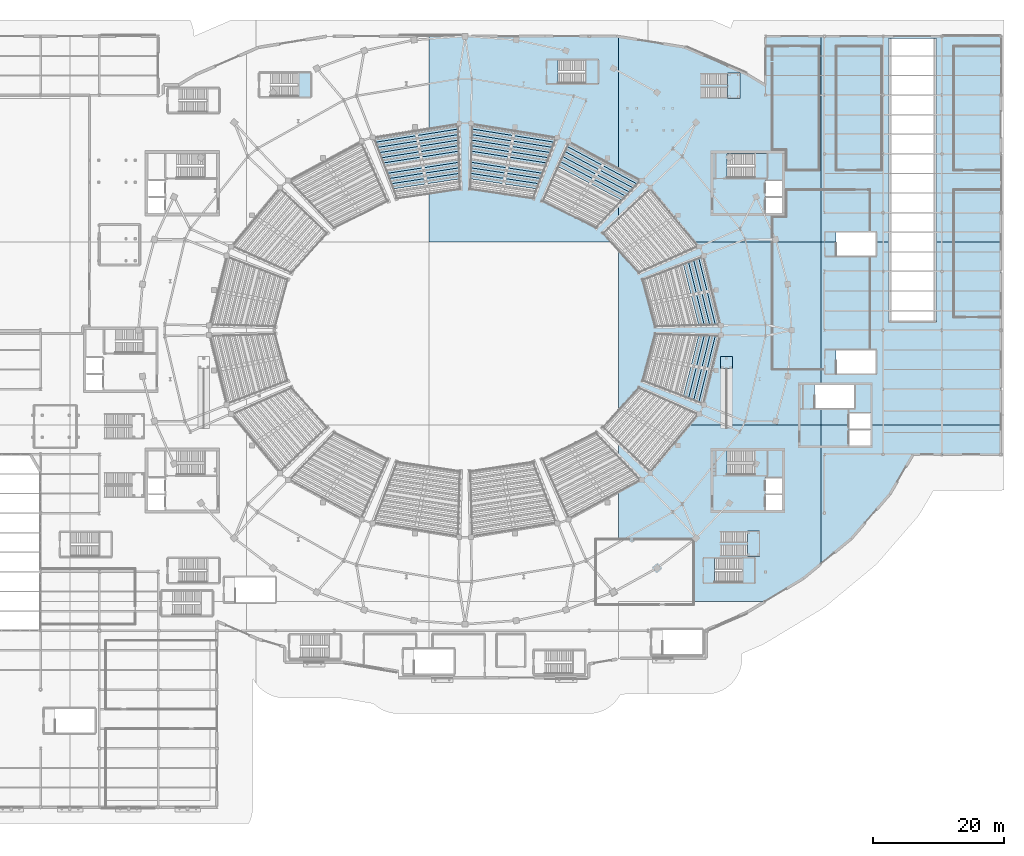
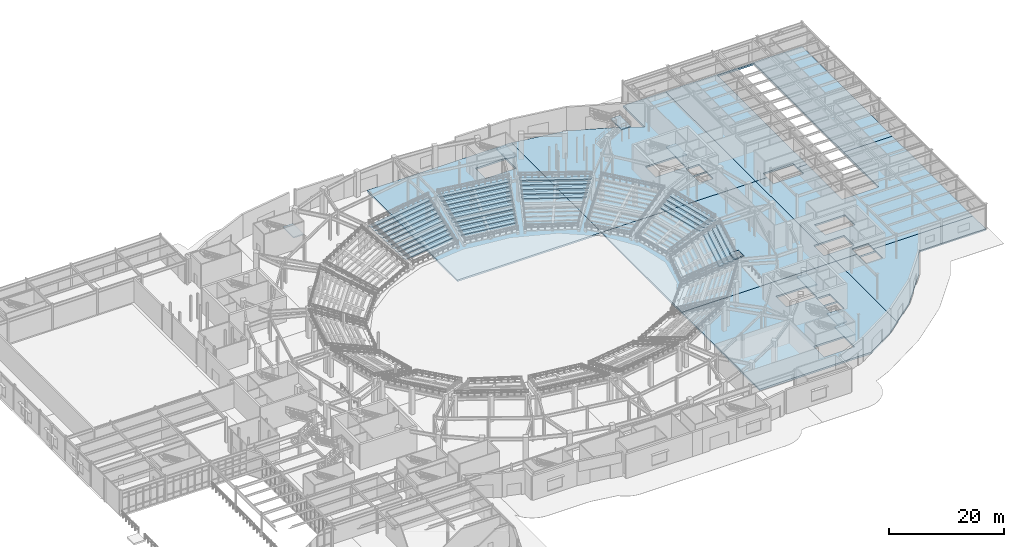
# One storey, part 46 of 79: 48 slabs, 8 elements without a shape of their own.
"""IFC4 building model written with IfcOpenShell, lengths in metres."""

from ifc_helpers import new_model, si_unit, direction, frame, origin, place, context, subcontext, project, spatial, polyline, outline, extrude, material, layer, layer_set, type_object, element, aggregate, save


model = new_model("IFC4")

# Units and contexts
model_context = context("Model", 3, precision=1e-05, world=origin(), true_north=direction((0.0, 1.0)))
body_context = subcontext(model_context, "Body", "Model", "MODEL_VIEW")
ifc_project = project(units=[si_unit("LENGTHUNIT", "METRE"), si_unit("AREAUNIT", "SQUARE_METRE"), si_unit("VOLUMEUNIT", "CUBIC_METRE"), si_unit("PLANEANGLEUNIT", "RADIAN"), si_unit("MASSUNIT", "GRAM", prefix="KILO")], contexts=[model_context])

# Site, building, storey
site_placement = place(None, origin())
site = spatial("IfcSite", under=ifc_project, at=site_placement, CompositionType="ELEMENT")
building_placement = place(site_placement, origin())
building = spatial("IfcBuilding", under=site, at=building_placement, Name="Glasvene Arena", CompositionType="ELEMENT")
storey_placement = place(building_placement, origin())
storey = spatial("IfcBuildingStorey", under=building, at=storey_placement, Name="L00", CompositionType="ELEMENT", Elevation=0.0)

# Slabs
ifc_material_1 = material(Name="Concrete C40/50", Category="concrete")
ifc_layer_1 = layer(ifc_material_1, 0.360107421875)
ifc_layer_set_1 = layer_set([ifc_layer_1], Name="Concrete C40/50")
slab_type_1 = type_object("IfcSlabType", Name="SL-L00-360", PredefinedType="FLOOR", material=ifc_layer_set_1)
slab_1_placement = place(storey_placement, frame((134.29150390625, 42.05322265625, -0.360107421875)))
element("IfcSlab", 1, at=slab_1_placement, inside=storey, type_object=slab_type_1, Name="Structural floor slab L00 sector 2-5 (25)", PredefinedType="FLOOR", context=body_context, shape_type="SweptSolid", body=[
    extrude(outline(polyline([(3.651611328125, -10.55322265625), (-18.79150390625, -10.55322265625), (-18.79150390625, 16.44677734375), (12.20849609375, 16.44677734375), (12.20849609375, -4.77685546875), (9.51416015625, -7.009521484375), (3.651611328125, -10.55322265625)]), holes=[polyline([(2.008544921875, -7.6533203125), (2.008544921875, -4.003173828125), (-4.089599609375, -4.003173828125), (-4.089599609375, -7.6533203125), (2.008544921875, -7.6533203125)]), polyline([(6.258544921875, 3.396728515625), (6.258544921875, 5.8466796875), (3.6083984375, 5.8466796875), (3.6083984375, 3.396728515625), (6.258544921875, 3.396728515625)]), polyline([(3.6083984375, 5.94677734375), (6.258544921875, 5.94677734375), (6.258544921875, 8.396728515625), (3.6083984375, 8.396728515625), (3.6083984375, 5.94677734375)]), polyline([(-2.189453125, 8.796875), (3.908447265625, 8.796875), (3.908447265625, 12.44677734375), (-2.189453125, 12.44677734375), (-2.189453125, 8.796875)])]), origin(), (0.0, 0.0, 1.0), 0.360107421875),
])
slab_2_placement = place(storey_placement, frame((156.29345703125, 53.10009765625, -0.360107421875)))
element("IfcSlab", 2, at=slab_2_placement, inside=storey, type_object=slab_type_1, Name="Structural floor slab L00 sector 2-6 (26)", PredefinedType="FLOOR", context=body_context, shape_type="SweptSolid", body=[
    extrude(outline(polyline([(4.286865234375, 0.89990234375), (0.725341796875, -5.185546875), (-5.16552734375, -11.989013671875), (-9.79345703125, -15.82373046875), (-9.79345703125, 5.39990234375), (-5.593505859375, 5.39990234375), (-5.593505859375, 4.7998046875), (-2.243408203125, 4.7998046875), (-2.243408203125, 5.39990234375), (17.70654296875, 5.39990234375), (17.70654296875, 0.89990234375), (4.286865234375, 0.89990234375)]), holes=[polyline([(-2.243408203125, 2.25), (-2.243408203125, 4.699951171875), (-5.593505859375, 4.699951171875), (-5.593505859375, 2.25), (-2.243408203125, 2.25)])]), origin(), (0.0, 0.0, 1.0), 0.360107421875),
])
slab_3_placement = place(storey_placement, frame((138.50048828125, 67.66259765625, -0.360107421875)))
element("IfcSlab", 3, at=slab_3_placement, inside=storey, type_object=slab_type_1, Name="Structural floor slab L00 sector 3-5 (31)", PredefinedType="FLOOR", context=body_context, shape_type="SweptSolid", body=[
    extrude(outline(polyline([(-23.00048828125, 18.83740234375), (7.99951171875, 18.83740234375), (7.99951171875, -3.0625), (7.00146484375, -3.0625), (7.00146484375, -6.612548828125), (7.99951171875, -6.612548828125), (7.99951171875, -9.16259765625), (-23.00048828125, -9.16259765625), (-23.00048828125, 18.83740234375)])), origin(), (0.0, 0.0, 1.0), 0.360107421875),
])
slab_4_placement = place(storey_placement, frame((154.80517578125, 72.1201171875, -0.360107421875)))
element("IfcSlab", 4, at=slab_4_placement, inside=storey, type_object=slab_type_1, Name="Structural floor slab L00 sector 3-6 (32)", PredefinedType="FLOOR", context=body_context, shape_type="SweptSolid", body=[
    extrude(outline(polyline([(-0.755126953125, -13.6201171875), (-0.755126953125, -11.77001953125), (-4.105224609375, -11.77001953125), (-4.105224609375, -13.6201171875), (-8.30517578125, -13.6201171875), (-8.30517578125, -11.070068359375), (-3.205078125, -11.070068359375), (-3.205078125, -7.52001953125), (-8.30517578125, -7.52001953125), (-8.30517578125, 14.3798828125), (-6.003173828125, 14.3798828125), (-6.003173828125, 12.27978515625), (0.0947265625, 12.27978515625), (0.0947265625, 14.3798828125), (1.994873046875, 14.3798828125), (1.994873046875, 2.179931640625), (9.394775390625, 2.179931640625), (9.394775390625, 14.3798828125), (19.19482421875, 14.3798828125), (19.19482421875, -13.6201171875), (-0.755126953125, -13.6201171875)]), holes=[polyline([(-6.003173828125, -5.72021484375), (0.0947265625, -5.72021484375), (0.0947265625, -2.170166015625), (-6.003173828125, -2.170166015625), (-6.003173828125, -5.72021484375)])]), origin(), (0.0, 0.0, 1.0), 0.360107421875),
])
slab_5_placement = place(storey_placement, frame((103.840576171875, 105.390380859375, -0.360107421875)))
element("IfcSlab", 5, at=slab_5_placement, inside=storey, type_object=slab_type_1, Name="Structural floor slab L00 sector 4-4 (36)", PredefinedType="FLOOR", context=body_context, shape_type="SweptSolid", body=[
    extrude(outline(polyline([(11.3623046875, 12.609619140625), (11.659423828125, 12.561279296875), (11.659423828125, -18.890380859375), (-17.340576171875, -18.890380859375), (-17.340576171875, 12.609619140625), (11.3623046875, 12.609619140625)]), holes=[polyline([(2.361328125, 5.40966796875), (8.45947265625, 5.40966796875), (8.45947265625, 8.959716796875), (2.361328125, 8.959716796875), (2.361328125, 5.40966796875)])]), origin(), (0.0, 0.0, 1.0), 0.360107421875),
])
slab_6_placement = place(storey_placement, frame((132.6064453125, 108.23291015625, -0.360107421875)))
element("IfcSlab", 6, at=slab_6_placement, inside=storey, type_object=slab_type_1, Name="Structural floor slab L00 sector 4-5 (37)", PredefinedType="FLOOR", context=body_context, shape_type="SweptSolid", body=[
    extrude(outline(polyline([(2.6259765625, 3.905517578125), (5.3935546875, 2.232666015625), (5.3935546875, 9.76708984375), (13.8935546875, 9.76708984375), (13.8935546875, -21.73291015625), (-17.1064453125, -21.73291015625), (-17.1064453125, 9.71875), (-6.9873046875, 8.07470703125), (2.6259765625, 3.905517578125)]), holes=[polyline([(7.943603515625, -17.282958984375), (7.943603515625, -14.8330078125), (5.29345703125, -14.8330078125), (5.29345703125, -17.282958984375), (7.943603515625, -17.282958984375)]), polyline([(7.943603515625, -14.73291015625), (7.943603515625, -12.282958984375), (5.29345703125, -12.282958984375), (5.29345703125, -14.73291015625), (7.943603515625, -14.73291015625)]), polyline([(-0.50439453125, -11.8828125), (5.593505859375, -11.8828125), (5.593505859375, -8.23291015625), (-0.50439453125, -8.23291015625), (-0.50439453125, -11.8828125)])]), origin(), (0.0, 0.0, 1.0), 0.360107421875),
])
slab_7_placement = place(storey_placement, frame((157.53369140625, 97.19140625, -0.360107421875)))
element("IfcSlab", 7, at=slab_7_placement, inside=storey, type_object=slab_type_1, Name="Structural floor slab L00 sector 4-6 (38)", PredefinedType="FLOOR", context=body_context, shape_type="SweptSolid", body=[
    extrude(outline(polyline([(16.46630859375, -10.69140625), (6.666259765625, -10.69140625), (6.666259765625, 20.506591796875), (-0.733642578125, 20.506591796875), (-0.733642578125, -10.69140625), (-2.6337890625, -10.69140625), (-2.6337890625, -9.241455078125), (-8.731689453125, -9.241455078125), (-8.731689453125, -10.69140625), (-11.03369140625, -10.69140625), (-11.03369140625, 20.80859375), (16.46630859375, 20.80859375), (16.46630859375, -10.69140625)])), origin(), (0.0, 0.0, 1.0), 0.360107421875),
])

# Stair, slab
stair_type_1 = type_object("IfcStairType", Name="ST-HT-540-170", PredefinedType="HALF_TURN_STAIR", material=ifc_material_1)
stair_1_placement = place(storey_placement, origin())
stair_1 = element("IfcStair", 8, at=stair_1_placement, inside=storey, type_object=stair_type_1, Name="Protected escape stair ST-02 (L00 to L01)", PredefinedType="HALF_TURN_STAIR")
ifc_layer_2 = layer(ifc_material_1, 0.219970703125)
ifc_layer_set_2 = layer_set([ifc_layer_2], Name="Concrete C40/50")
slab_type_2 = type_object("IfcSlabType", Name="SL-LAND-220", PredefinedType="LANDING", material=ifc_layer_set_2)
slab_8_placement = place(storey_placement, frame((137.300048828125, 98.175048828125, 2.47998046875)))
slab_8 = element("IfcSlab", 9, at=slab_8_placement, type_object=slab_type_2, Name="Protected escape stair ST-02 (L00 to L01) landing 1", PredefinedType="LANDING", context=body_context, shape_type="SweptSolid", body=[
    extrude(outline(polyline([(-1.0, -1.925048828125), (1.0, -1.925048828125), (1.0, 1.925048828125), (-1.0, 1.925048828125), (-1.0, -1.925048828125)])), origin(), (0.0, 0.0, 1.0), 0.219970703125),
])
aggregate(stair_1, [slab_8])

stair_2_placement = place(storey_placement, origin())
stair_2 = element("IfcStair", 10, at=stair_2_placement, inside=storey, type_object=stair_type_1, Name="Protected escape stair ST-04 (L00 to L01)", PredefinedType="HALF_TURN_STAIR")
slab_9_placement = place(storey_placement, frame((137.300048828125, 52.675048828125, 2.47998046875)))
slab_9 = element("IfcSlab", 11, at=slab_9_placement, type_object=slab_type_2, Name="Protected escape stair ST-04 (L00 to L01) landing 1", PredefinedType="LANDING", context=body_context, shape_type="SweptSolid", body=[
    extrude(outline(polyline([(-1.0, -1.925048828125), (1.0, -1.925048828125), (1.0, 1.925048828125), (-1.0, 1.925048828125), (-1.0, -1.925048828125)])), origin(), (0.0, 0.0, 1.0), 0.219970703125),
])
aggregate(stair_2, [slab_9])

stair_3_placement = place(storey_placement, origin())
stair_3 = element("IfcStair", 12, at=stair_3_placement, inside=storey, type_object=stair_type_1, Name="Protected escape stair ST-06 (L00 to L01)", PredefinedType="HALF_TURN_STAIR")
slab_10_placement = place(storey_placement, frame((135.39990234375, 36.22509765625, 2.47998046875)))
slab_10 = element("IfcSlab", 13, at=slab_10_placement, type_object=slab_type_2, Name="Protected escape stair ST-06 (L00 to L01) landing 1", PredefinedType="LANDING", context=body_context, shape_type="SweptSolid", body=[
    extrude(outline(polyline([(-1.0, -1.925048828125), (1.0, -1.925048828125), (1.0, 1.9248046875), (-1.0, 1.9248046875), (-1.0, -1.925048828125)])), origin(), (0.0, 0.0, 1.0), 0.219970703125),
])
aggregate(stair_3, [slab_10])

stair_type_2 = type_object("IfcStairType", Name="ST-HT-540-165", PredefinedType="HALF_TURN_STAIR", material=ifc_material_1)
stair_4_placement = place(storey_placement, origin())
stair_4 = element("IfcStair", 14, at=stair_4_placement, inside=storey, type_object=stair_type_2, Name="Protected escape stair ST-10 (L00 to L01)", PredefinedType="HALF_TURN_STAIR")
slab_11_placement = place(storey_placement, frame((67.39990234375, 110.574951171875, 2.47998046875)))
slab_11 = element("IfcSlab", 15, at=slab_11_placement, type_object=slab_type_2, Name="Protected escape stair ST-10 (L00 to L01) landing 1", PredefinedType="LANDING", context=body_context, shape_type="SweptSolid", body=[
    extrude(outline(polyline([(-1.0, -1.875), (1.0, -1.875), (1.0, 1.875), (-1.0, 1.875), (-1.0, -1.875)])), origin(), (0.0, 0.0, 1.0), 0.219970703125),
])
aggregate(stair_4, [slab_11])

stair_5_placement = place(storey_placement, origin())
stair_5 = element("IfcStair", 16, at=stair_5_placement, inside=storey, type_object=stair_type_2, Name="Protected escape stair ST-11 (L00 to L01)", PredefinedType="HALF_TURN_STAIR")
slab_12_placement = place(storey_placement, frame((111.39990234375, 112.574951171875, 2.47998046875)))
slab_12 = element("IfcSlab", 17, at=slab_12_placement, type_object=slab_type_2, Name="Protected escape stair ST-11 (L00 to L01) landing 1", PredefinedType="LANDING", context=body_context, shape_type="SweptSolid", body=[
    extrude(outline(polyline([(-1.0, -1.875), (1.0, -1.875), (1.0, 1.875), (-1.0, 1.875), (-1.0, -1.875)])), origin(), (0.0, 0.0, 1.0), 0.219970703125),
])
aggregate(stair_5, [slab_12])

stair_type_3 = type_object("IfcStairType", Name="ST-HT-540-180", PredefinedType="HALF_TURN_STAIR", material=ifc_material_1)
stair_6_placement = place(storey_placement, origin())
stair_6 = element("IfcStair", 18, at=stair_6_placement, inside=storey, type_object=stair_type_3, Name="Vomitory Stair VOM-02 (L00 to L01)", PredefinedType="HALF_TURN_STAIR")
slab_13_placement = place(storey_placement, frame((136.14990234375, 40.324951171875, 2.47998046875)))
slab_13 = element("IfcSlab", 19, at=slab_13_placement, type_object=slab_type_2, Name="Vomitory Stair VOM-02 (L00 to L01) landing 1", PredefinedType="LANDING", context=body_context, shape_type="SweptSolid", body=[
    extrude(outline(polyline([(-0.949951171875, -1.925048828125), (0.9501953125, -1.925048828125), (0.9501953125, 1.925048828125), (-0.949951171875, 1.925048828125), (-0.949951171875, -1.925048828125)])), origin(), (0.0, 0.0, 1.0), 0.219970703125),
])
aggregate(stair_6, [slab_13])

stair_7_placement = place(storey_placement, origin())
stair_7 = element("IfcStair", 20, at=stair_7_placement, inside=storey, type_object=stair_type_3, Name="Vomitory Stair VOM-04 (L00 to L01)", PredefinedType="HALF_TURN_STAIR")
slab_14_placement = place(storey_placement, frame((133.14990234375, 110.425048828125, 2.47998046875)))
slab_14 = element("IfcSlab", 21, at=slab_14_placement, type_object=slab_type_2, Name="Vomitory Stair VOM-04 (L00 to L01) landing 1", PredefinedType="LANDING", context=body_context, shape_type="SweptSolid", body=[
    extrude(outline(polyline([(-0.949951171875, -1.925048828125), (0.9501953125, -1.925048828125), (0.9501953125, 1.925048828125), (-0.949951171875, 1.925048828125), (-0.949951171875, -1.925048828125)])), origin(), (0.0, 0.0, 1.0), 0.219970703125),
])
aggregate(stair_7, [slab_14])

# Ramp, slab
ramp_type = type_object("IfcRampType", Name="RP-PED-180", PredefinedType="STRAIGHT_RUN_RAMP", material=ifc_material_1)
ramp_placement = place(storey_placement, origin())
ramp = element("IfcRamp", 22, at=ramp_placement, inside=storey, type_object=ramp_type, Name="Accessible 1:12 pedestrian ramp RP-P2", PredefinedType="STRAIGHT_RUN_RAMP")
ifc_layer_3 = layer(ifc_material_1, 0.25)
ifc_layer_set_3 = layer_set([ifc_layer_3], Name="Concrete C40/50")
slab_type_3 = type_object("IfcSlabType", Name="SL-LAND-250", PredefinedType="LANDING", material=ifc_layer_set_3)
slab_15_placement = place(storey_placement, frame((132.0, 68.06005859375, 0.510009765625)))
slab_15 = element("IfcSlab", 23, at=slab_15_placement, type_object=slab_type_3, Name="Accessible 1:12 pedestrian ramp RP-P2 landing 1", PredefinedType="LANDING", context=body_context, shape_type="SweptSolid", body=[
    extrude(outline(polyline([(-0.89990234375, -0.93994140625), (0.89990234375, -0.93994140625), (0.89990234375, 0.93994140625), (-0.89990234375, 0.93994140625), (-0.89990234375, -0.93994140625)])), origin(), (0.0, 0.0, 1.0), 0.25),
])
aggregate(ramp, [slab_15])

# Slabs
ifc_material_2 = material(Name="Precast concrete C50/60", Category="concrete")
ifc_layer_4 = layer(ifc_material_2, 0.219970703125)
ifc_layer_set_4 = layer_set([ifc_layer_4], Name="Precast concrete C50/60")
slab_type_4 = type_object("IfcSlabType", Name="SL-TIER-LOW", PredefinedType="USERDEFINED", material=ifc_layer_set_4)
slab_16_placement = place(storey_placement, frame((126.99462890625, 78.519775390625, 3.580078125)))
element("IfcSlab", 24, at=slab_16_placement, inside=storey, type_object=slab_type_4, Name="Stand lower tier sector 01 row 09", ObjectType="SEATING TIER", PredefinedType="USERDEFINED", context=body_context, shape_type="SweptSolid", body=[
    extrude(outline(polyline([(0.796142578125, -4.877685546875), (-1.617431640625, 4.714111328125), (-0.824951171875, 5.021728515625), (1.64599609375, -4.8583984375), (0.796142578125, -4.877685546875)])), origin(), (0.0, 0.0, 1.0), 0.219970703125),
])
slab_17_placement = place(storey_placement, frame((127.815673828125, 78.68310546875, 3.9599609375)))
element("IfcSlab", 25, at=slab_17_placement, inside=storey, type_object=slab_type_4, Name="Stand lower tier sector 01 row 10", ObjectType="SEATING TIER", PredefinedType="USERDEFINED", context=body_context, shape_type="SweptSolid", body=[
    extrude(outline(polyline([(0.824951171875, -5.021728515625), (-1.64599609375, 4.8583984375), (-0.853515625, 5.16552734375), (1.674560546875, -5.00244140625), (0.824951171875, -5.021728515625)])), origin(), (0.0, 0.0, 1.0), 0.219970703125),
])
slab_18_placement = place(storey_placement, frame((128.63671875, 78.846435546875, 4.340087890625)))
element("IfcSlab", 26, at=slab_18_placement, inside=storey, type_object=slab_type_4, Name="Stand lower tier sector 01 row 11", ObjectType="SEATING TIER", PredefinedType="USERDEFINED", context=body_context, shape_type="SweptSolid", body=[
    extrude(outline(polyline([(0.853515625, -5.165771484375), (-1.674560546875, 5.002197265625), (-0.882080078125, 5.3095703125), (1.703369140625, -5.146484375), (0.853515625, -5.165771484375)])), origin(), (0.0, 0.0, 1.0), 0.219970703125),
])
slab_19_placement = place(storey_placement, frame((129.4580078125, 79.009765625, 4.719970703125)))
element("IfcSlab", 27, at=slab_19_placement, inside=storey, type_object=slab_type_4, Name="Stand lower tier sector 01 row 12", ObjectType="SEATING TIER", PredefinedType="USERDEFINED", context=body_context, shape_type="SweptSolid", body=[
    extrude(outline(polyline([(0.882080078125, -5.309814453125), (-1.703369140625, 5.146240234375), (-0.910888671875, 5.45361328125), (1.73193359375, -5.29052734375), (0.882080078125, -5.309814453125)])), origin(), (0.0, 0.0, 1.0), 0.219970703125),
])
slab_20_placement = place(storey_placement, frame((111.357666015625, 95.82861328125, 3.199951171875)))
element("IfcSlab", 28, at=slab_20_placement, inside=storey, type_object=slab_type_4, Name="Stand lower tier sector 03 row 08", ObjectType="SEATING TIER", PredefinedType="USERDEFINED", context=body_context, shape_type="SweptSolid", body=[
    extrude(outline(polyline([(4.78857421875, -2.983154296875), (-5.253662109375, 2.286865234375), (-4.91064453125, 3.064697265625), (5.3759765625, -2.36865234375), (4.78857421875, -2.983154296875)])), origin(), (0.0, 0.0, 1.0), 0.219970703125),
])
slab_21_placement = place(storey_placement, frame((111.82275390625, 96.524658203125, 3.580078125)))
element("IfcSlab", 29, at=slab_21_placement, inside=storey, type_object=slab_type_4, Name="Stand lower tier sector 03 row 09", ObjectType="SEATING TIER", PredefinedType="USERDEFINED", context=body_context, shape_type="SweptSolid", body=[
    extrude(outline(polyline([(4.910888671875, -3.064697265625), (-5.375732421875, 2.36865234375), (-5.032958984375, 3.146484375), (5.498046875, -2.4501953125), (4.910888671875, -3.064697265625)])), origin(), (0.0, 0.0, 1.0), 0.219970703125),
])
slab_22_placement = place(storey_placement, frame((112.287841796875, 97.220947265625, 3.9599609375)))
element("IfcSlab", 30, at=slab_22_placement, inside=storey, type_object=slab_type_4, Name="Stand lower tier sector 03 row 10", ObjectType="SEATING TIER", PredefinedType="USERDEFINED", context=body_context, shape_type="SweptSolid", body=[
    extrude(outline(polyline([(5.032958984375, -3.146484375), (-5.498046875, 2.4501953125), (-5.155029296875, 3.227783203125), (5.620361328125, -2.531982421875), (5.032958984375, -3.146484375)])), origin(), (0.0, 0.0, 1.0), 0.219970703125),
])
slab_23_placement = place(storey_placement, frame((112.753173828125, 97.9169921875, 4.340087890625)))
element("IfcSlab", 31, at=slab_23_placement, inside=storey, type_object=slab_type_4, Name="Stand lower tier sector 03 row 11", ObjectType="SEATING TIER", PredefinedType="USERDEFINED", context=body_context, shape_type="SweptSolid", body=[
    extrude(outline(polyline([(5.155029296875, -3.22802734375), (-5.620361328125, 2.53173828125), (-5.277099609375, 3.3095703125), (5.7421875, -2.613525390625), (5.155029296875, -3.22802734375)])), origin(), (0.0, 0.0, 1.0), 0.219970703125),
])
slab_24_placement = place(storey_placement, frame((113.21826171875, 98.613037109375, 4.719970703125)))
element("IfcSlab", 32, at=slab_24_placement, inside=storey, type_object=slab_type_4, Name="Stand lower tier sector 03 row 12", ObjectType="SEATING TIER", PredefinedType="USERDEFINED", context=body_context, shape_type="SweptSolid", body=[
    extrude(outline(polyline([(5.277099609375, -3.3095703125), (-5.7421875, 2.613525390625), (-5.399169921875, 3.39111328125), (5.8642578125, -2.69482421875), (5.277099609375, -3.3095703125)])), origin(), (0.0, 0.0, 1.0), 0.219970703125),
])
slab_25_placement = place(storey_placement, frame((97.98095703125, 95.822509765625, 1.300048828125)))
element("IfcSlab", 33, at=slab_25_placement, inside=storey, type_object=slab_type_4, Name="Stand lower tier sector 04 row 03", ObjectType="SEATING TIER", PredefinedType="USERDEFINED", context=body_context, shape_type="SweptSolid", body=[
    extrude(outline(polyline([(5.120849609375, -1.192626953125), (-5.284423828125, 0.37158203125), (-5.26513671875, 1.22119140625), (5.42822265625, -0.400146484375), (5.120849609375, -1.192626953125)])), origin(), (0.0, 0.0, 1.0), 0.219970703125),
])
slab_26_placement = place(storey_placement, frame((98.144287109375, 96.6435546875, 1.679931640625)))
element("IfcSlab", 34, at=slab_26_placement, inside=storey, type_object=slab_type_4, Name="Stand lower tier sector 04 row 04", ObjectType="SEATING TIER", PredefinedType="USERDEFINED", context=body_context, shape_type="SweptSolid", body=[
    extrude(outline(polyline([(5.264892578125, -1.22119140625), (-5.428466796875, 0.400146484375), (-5.4091796875, 1.25), (5.572265625, -0.4287109375), (5.264892578125, -1.22119140625)])), origin(), (0.0, 0.0, 1.0), 0.219970703125),
])
slab_27_placement = place(storey_placement, frame((98.3076171875, 97.46484375, 2.06005859375)))
element("IfcSlab", 35, at=slab_27_placement, inside=storey, type_object=slab_type_4, Name="Stand lower tier sector 04 row 05", ObjectType="SEATING TIER", PredefinedType="USERDEFINED", context=body_context, shape_type="SweptSolid", body=[
    extrude(outline(polyline([(5.408935546875, -1.25), (-5.572509765625, 0.4287109375), (-5.55322265625, 1.278564453125), (5.71630859375, -0.45751953125), (5.408935546875, -1.25)])), origin(), (0.0, 0.0, 1.0), 0.219970703125),
])
slab_28_placement = place(storey_placement, frame((98.470947265625, 98.285888671875, 2.43994140625)))
element("IfcSlab", 36, at=slab_28_placement, inside=storey, type_object=slab_type_4, Name="Stand lower tier sector 04 row 06", ObjectType="SEATING TIER", PredefinedType="USERDEFINED", context=body_context, shape_type="SweptSolid", body=[
    extrude(outline(polyline([(5.552978515625, -1.278564453125), (-5.716552734375, 0.45751953125), (-5.697265625, 1.307373046875), (5.8603515625, -0.486083984375), (5.552978515625, -1.278564453125)])), origin(), (0.0, 0.0, 1.0), 0.219970703125),
])
slab_29_placement = place(storey_placement, frame((98.63427734375, 99.10693359375, 2.820068359375)))
element("IfcSlab", 37, at=slab_29_placement, inside=storey, type_object=slab_type_4, Name="Stand lower tier sector 04 row 07", ObjectType="SEATING TIER", PredefinedType="USERDEFINED", context=body_context, shape_type="SweptSolid", body=[
    extrude(outline(polyline([(5.697021484375, -1.30712890625), (-5.860595703125, 0.486328125), (-5.84130859375, 1.3359375), (6.004638671875, -0.5146484375), (5.697021484375, -1.30712890625)])), origin(), (0.0, 0.0, 1.0), 0.219970703125),
])
slab_30_placement = place(storey_placement, frame((98.797607421875, 99.92822265625, 3.199951171875)))
element("IfcSlab", 38, at=slab_30_placement, inside=storey, type_object=slab_type_4, Name="Stand lower tier sector 04 row 08", ObjectType="SEATING TIER", PredefinedType="USERDEFINED", context=body_context, shape_type="SweptSolid", body=[
    extrude(outline(polyline([(5.84130859375, -1.3359375), (-6.004638671875, 0.5146484375), (-5.9853515625, 1.364501953125), (6.148681640625, -0.54345703125), (5.84130859375, -1.3359375)])), origin(), (0.0, 0.0, 1.0), 0.219970703125),
])
slab_31_placement = place(storey_placement, frame((98.9609375, 100.749267578125, 3.580078125)))
element("IfcSlab", 39, at=slab_31_placement, inside=storey, type_object=slab_type_4, Name="Stand lower tier sector 04 row 09", ObjectType="SEATING TIER", PredefinedType="USERDEFINED", context=body_context, shape_type="SweptSolid", body=[
    extrude(outline(polyline([(5.9853515625, -1.364501953125), (-6.148681640625, 0.54345703125), (-6.12939453125, 1.393310546875), (6.29248046875, -0.572021484375), (5.9853515625, -1.364501953125)])), origin(), (0.0, 0.0, 1.0), 0.219970703125),
])
slab_32_placement = place(storey_placement, frame((99.124267578125, 101.5703125, 3.9599609375)))
element("IfcSlab", 40, at=slab_32_placement, inside=storey, type_object=slab_type_4, Name="Stand lower tier sector 04 row 10", ObjectType="SEATING TIER", PredefinedType="USERDEFINED", context=body_context, shape_type="SweptSolid", body=[
    extrude(outline(polyline([(6.129150390625, -1.39306640625), (-6.292724609375, 0.572265625), (-6.2734375, 1.421875), (6.4365234375, -0.6005859375), (6.129150390625, -1.39306640625)])), origin(), (0.0, 0.0, 1.0), 0.219970703125),
])
slab_33_placement = place(storey_placement, frame((99.28759765625, 102.3916015625, 4.340087890625)))
element("IfcSlab", 41, at=slab_33_placement, inside=storey, type_object=slab_type_4, Name="Stand lower tier sector 04 row 11", ObjectType="SEATING TIER", PredefinedType="USERDEFINED", context=body_context, shape_type="SweptSolid", body=[
    extrude(outline(polyline([(6.273193359375, -1.421875), (-6.436767578125, 0.6005859375), (-6.41748046875, 1.450439453125), (6.580810546875, -0.62939453125), (6.273193359375, -1.421875)])), origin(), (0.0, 0.0, 1.0), 0.219970703125),
])
slab_34_placement = place(storey_placement, frame((99.450927734375, 103.212646484375, 4.719970703125)))
element("IfcSlab", 42, at=slab_34_placement, inside=storey, type_object=slab_type_4, Name="Stand lower tier sector 04 row 12", ObjectType="SEATING TIER", PredefinedType="USERDEFINED", context=body_context, shape_type="SweptSolid", body=[
    extrude(outline(polyline([(6.41748046875, -1.450439453125), (-6.580810546875, 0.62939453125), (-6.5615234375, 1.479248046875), (6.724853515625, -0.657958984375), (6.41748046875, -1.450439453125)])), origin(), (0.0, 0.0, 1.0), 0.219970703125),
])
slab_35_placement = place(storey_placement, frame((86.01904296875, 95.822509765625, 1.300048828125)))
element("IfcSlab", 43, at=slab_35_placement, inside=storey, type_object=slab_type_4, Name="Stand lower tier sector 05 row 03", ObjectType="SEATING TIER", PredefinedType="USERDEFINED", context=body_context, shape_type="SweptSolid", body=[
    extrude(outline(polyline([(5.284423828125, 0.37158203125), (-5.120849609375, -1.192626953125), (-5.42822265625, -0.400146484375), (5.26513671875, 1.22119140625), (5.284423828125, 0.37158203125)])), origin(), (0.0, 0.0, 1.0), 0.219970703125),
])
slab_36_placement = place(storey_placement, frame((85.855712890625, 96.6435546875, 1.679931640625)))
element("IfcSlab", 44, at=slab_36_placement, inside=storey, type_object=slab_type_4, Name="Stand lower tier sector 05 row 04", ObjectType="SEATING TIER", PredefinedType="USERDEFINED", context=body_context, shape_type="SweptSolid", body=[
    extrude(outline(polyline([(5.428466796875, 0.400146484375), (-5.264892578125, -1.22119140625), (-5.572265625, -0.4287109375), (5.4091796875, 1.25), (5.428466796875, 0.400146484375)])), origin(), (0.0, 0.0, 1.0), 0.219970703125),
])
slab_37_placement = place(storey_placement, frame((85.6923828125, 97.46484375, 2.06005859375)))
element("IfcSlab", 45, at=slab_37_placement, inside=storey, type_object=slab_type_4, Name="Stand lower tier sector 05 row 05", ObjectType="SEATING TIER", PredefinedType="USERDEFINED", context=body_context, shape_type="SweptSolid", body=[
    extrude(outline(polyline([(5.572509765625, 0.4287109375), (-5.408935546875, -1.25), (-5.71630859375, -0.45751953125), (5.55322265625, 1.278564453125), (5.572509765625, 0.4287109375)])), origin(), (0.0, 0.0, 1.0), 0.219970703125),
])
slab_38_placement = place(storey_placement, frame((85.529052734375, 98.285888671875, 2.43994140625)))
element("IfcSlab", 46, at=slab_38_placement, inside=storey, type_object=slab_type_4, Name="Stand lower tier sector 05 row 06", ObjectType="SEATING TIER", PredefinedType="USERDEFINED", context=body_context, shape_type="SweptSolid", body=[
    extrude(outline(polyline([(5.716552734375, 0.45751953125), (-5.552978515625, -1.278564453125), (-5.8603515625, -0.486083984375), (5.697265625, 1.307373046875), (5.716552734375, 0.45751953125)])), origin(), (0.0, 0.0, 1.0), 0.219970703125),
])
slab_39_placement = place(storey_placement, frame((85.36572265625, 99.10693359375, 2.820068359375)))
element("IfcSlab", 47, at=slab_39_placement, inside=storey, type_object=slab_type_4, Name="Stand lower tier sector 05 row 07", ObjectType="SEATING TIER", PredefinedType="USERDEFINED", context=body_context, shape_type="SweptSolid", body=[
    extrude(outline(polyline([(5.860595703125, 0.486328125), (-5.697021484375, -1.30712890625), (-6.004638671875, -0.5146484375), (5.84130859375, 1.3359375), (5.860595703125, 0.486328125)])), origin(), (0.0, 0.0, 1.0), 0.219970703125),
])
slab_40_placement = place(storey_placement, frame((85.202392578125, 99.92822265625, 3.199951171875)))
element("IfcSlab", 48, at=slab_40_placement, inside=storey, type_object=slab_type_4, Name="Stand lower tier sector 05 row 08", ObjectType="SEATING TIER", PredefinedType="USERDEFINED", context=body_context, shape_type="SweptSolid", body=[
    extrude(outline(polyline([(6.004638671875, 0.5146484375), (-5.84130859375, -1.3359375), (-6.148681640625, -0.54345703125), (5.9853515625, 1.364501953125), (6.004638671875, 0.5146484375)])), origin(), (0.0, 0.0, 1.0), 0.219970703125),
])
slab_41_placement = place(storey_placement, frame((85.0390625, 100.749267578125, 3.580078125)))
element("IfcSlab", 49, at=slab_41_placement, inside=storey, type_object=slab_type_4, Name="Stand lower tier sector 05 row 09", ObjectType="SEATING TIER", PredefinedType="USERDEFINED", context=body_context, shape_type="SweptSolid", body=[
    extrude(outline(polyline([(6.148681640625, 0.54345703125), (-5.9853515625, -1.364501953125), (-6.29248046875, -0.572021484375), (6.12939453125, 1.393310546875), (6.148681640625, 0.54345703125)])), origin(), (0.0, 0.0, 1.0), 0.219970703125),
])
slab_42_placement = place(storey_placement, frame((84.875732421875, 101.5703125, 3.9599609375)))
element("IfcSlab", 50, at=slab_42_placement, inside=storey, type_object=slab_type_4, Name="Stand lower tier sector 05 row 10", ObjectType="SEATING TIER", PredefinedType="USERDEFINED", context=body_context, shape_type="SweptSolid", body=[
    extrude(outline(polyline([(6.292724609375, 0.572265625), (-6.129150390625, -1.39306640625), (-6.4365234375, -0.6005859375), (6.2734375, 1.421875), (6.292724609375, 0.572265625)])), origin(), (0.0, 0.0, 1.0), 0.219970703125),
])
slab_43_placement = place(storey_placement, frame((84.71240234375, 102.3916015625, 4.340087890625)))
element("IfcSlab", 51, at=slab_43_placement, inside=storey, type_object=slab_type_4, Name="Stand lower tier sector 05 row 11", ObjectType="SEATING TIER", PredefinedType="USERDEFINED", context=body_context, shape_type="SweptSolid", body=[
    extrude(outline(polyline([(6.436767578125, 0.6005859375), (-6.273193359375, -1.421875), (-6.580810546875, -0.62939453125), (6.41748046875, 1.450439453125), (6.436767578125, 0.6005859375)])), origin(), (0.0, 0.0, 1.0), 0.219970703125),
])
slab_44_placement = place(storey_placement, frame((84.549072265625, 103.212646484375, 4.719970703125)))
element("IfcSlab", 52, at=slab_44_placement, inside=storey, type_object=slab_type_4, Name="Stand lower tier sector 05 row 12", ObjectType="SEATING TIER", PredefinedType="USERDEFINED", context=body_context, shape_type="SweptSolid", body=[
    extrude(outline(polyline([(6.580810546875, 0.62939453125), (-6.41748046875, -1.450439453125), (-6.724853515625, -0.657958984375), (6.5615234375, 1.479248046875), (6.580810546875, 0.62939453125)])), origin(), (0.0, 0.0, 1.0), 0.219970703125),
])
slab_45_placement = place(storey_placement, frame((126.99462890625, 67.480224609375, 3.580078125)))
element("IfcSlab", 53, at=slab_45_placement, inside=storey, type_object=slab_type_4, Name="Stand lower tier sector 16 row 09", ObjectType="SEATING TIER", PredefinedType="USERDEFINED", context=body_context, shape_type="SweptSolid", body=[
    extrude(outline(polyline([(-1.617431640625, -4.714111328125), (0.796142578125, 4.877685546875), (1.64599609375, 4.8583984375), (-0.824951171875, -5.021728515625), (-1.617431640625, -4.714111328125)])), origin(), (0.0, 0.0, 1.0), 0.219970703125),
])
slab_46_placement = place(storey_placement, frame((127.815673828125, 67.31689453125, 3.9599609375)))
element("IfcSlab", 54, at=slab_46_placement, inside=storey, type_object=slab_type_4, Name="Stand lower tier sector 16 row 10", ObjectType="SEATING TIER", PredefinedType="USERDEFINED", context=body_context, shape_type="SweptSolid", body=[
    extrude(outline(polyline([(-1.64599609375, -4.8583984375), (0.824951171875, 5.021728515625), (1.674560546875, 5.00244140625), (-0.853515625, -5.16552734375), (-1.64599609375, -4.8583984375)])), origin(), (0.0, 0.0, 1.0), 0.219970703125),
])
slab_47_placement = place(storey_placement, frame((128.63671875, 67.153564453125, 4.340087890625)))
element("IfcSlab", 55, at=slab_47_placement, inside=storey, type_object=slab_type_4, Name="Stand lower tier sector 16 row 11", ObjectType="SEATING TIER", PredefinedType="USERDEFINED", context=body_context, shape_type="SweptSolid", body=[
    extrude(outline(polyline([(-1.674560546875, -5.002197265625), (0.853515625, 5.165771484375), (1.703369140625, 5.146484375), (-0.882080078125, -5.3095703125), (-1.674560546875, -5.002197265625)])), origin(), (0.0, 0.0, 1.0), 0.219970703125),
])
slab_48_placement = place(storey_placement, frame((129.4580078125, 66.990234375, 4.719970703125)))
element("IfcSlab", 56, at=slab_48_placement, inside=storey, type_object=slab_type_4, Name="Stand lower tier sector 16 row 12", ObjectType="SEATING TIER", PredefinedType="USERDEFINED", context=body_context, shape_type="SweptSolid", body=[
    extrude(outline(polyline([(-1.703369140625, -5.146240234375), (0.882080078125, 5.309814453125), (1.73193359375, 5.29052734375), (-0.910888671875, -5.45361328125), (-1.703369140625, -5.146240234375)])), origin(), (0.0, 0.0, 1.0), 0.219970703125),
])

save(model, "model.ifc")
